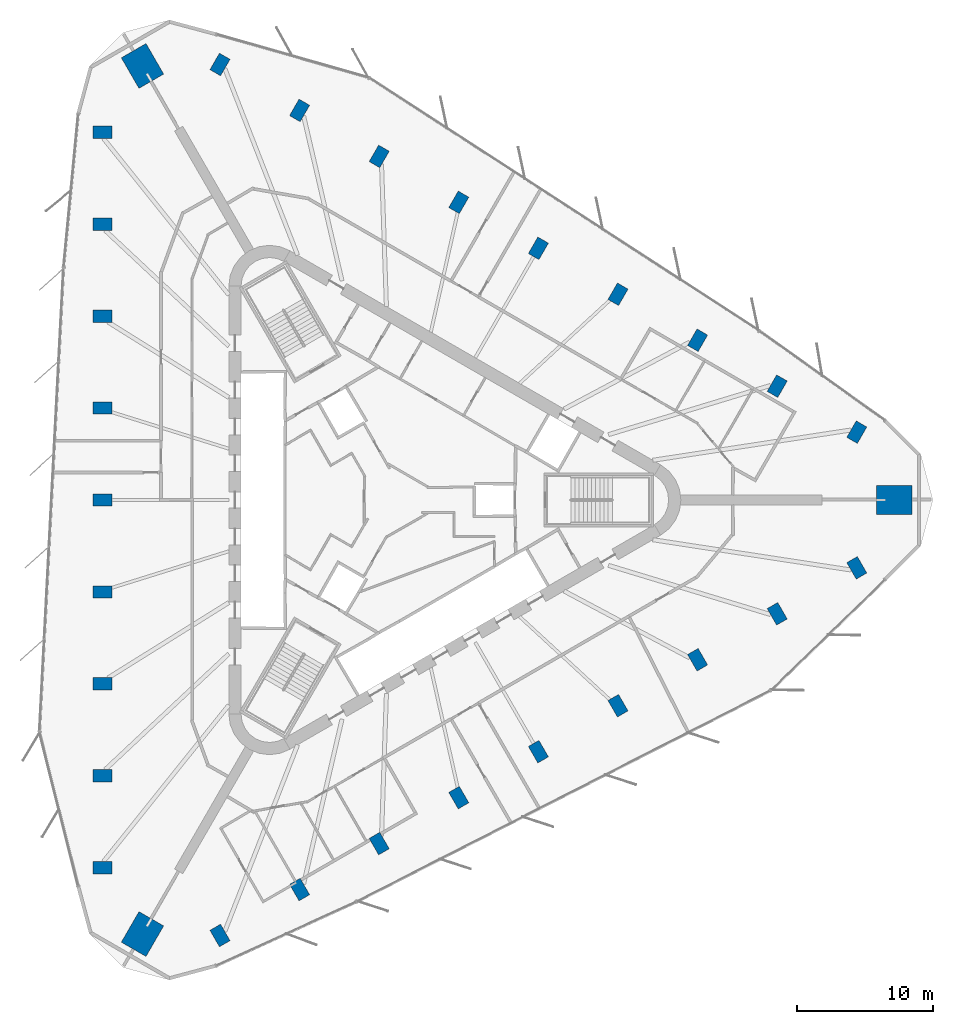
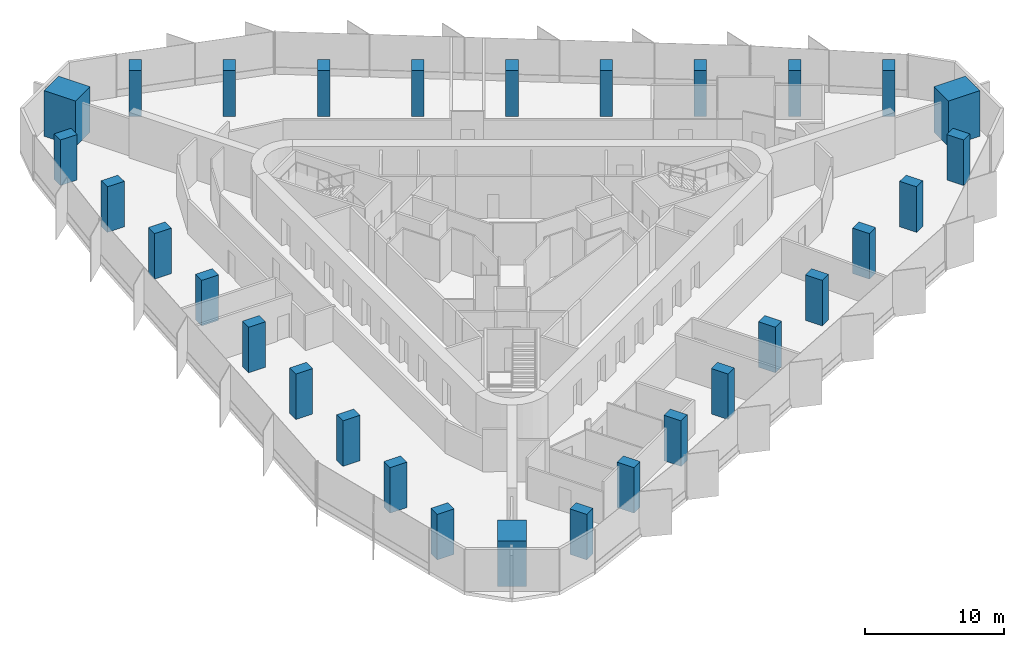
# One storey, part 1 of 14: 30 columns.
"""IFC4 building model written with IfcOpenShell, lengths in metres."""

from ifc_helpers import new_model, si_unit, direction, frame, origin, origin_2d, place, context, subcontext, project, spatial, rectangle, extrude, material, material_profile, profile_set, type_object, element, save


model = new_model("IFC4")

# Units and contexts
model_context = context("Model", 3, precision=1e-05, world=origin(), true_north=direction((0.0, 1.0)))
body_context = subcontext(model_context, "Body", "Model", "MODEL_VIEW")
ifc_project = project(units=[si_unit("LENGTHUNIT", "METRE"), si_unit("AREAUNIT", "SQUARE_METRE"), si_unit("VOLUMEUNIT", "CUBIC_METRE"), si_unit("PLANEANGLEUNIT", "RADIAN"), si_unit("MASSUNIT", "GRAM", prefix="KILO")], contexts=[model_context])

# Site, building, storey
site_placement = place(None, origin())
site = spatial("IfcSite", under=ifc_project, at=site_placement, CompositionType="ELEMENT")
building_placement = place(site_placement, origin())
building = spatial("IfcBuilding", under=site, at=building_placement, Name="Tanit Gate Tower", CompositionType="ELEMENT")
storey_placement = place(building_placement, frame((0.0, 0.0, 253.199951171875)))
storey = spatial("IfcBuildingStorey", under=building, at=storey_placement, Name="L57", CompositionType="ELEMENT", Elevation=253.199951171875)

# Columns
ifc_material_1 = material(Name="Concrete C60/75", Category="concrete")
ifc_material_profile_1 = material_profile(ifc_material_1, rectangle(XDim=2.60009765625, YDim=2.10009765625, at=origin_2d()), Name="RC 2600x2100")
ifc_profile_set_1 = profile_set([ifc_material_profile_1], Name="Concrete C60/75")
column_type_1 = type_object("IfcColumnType", Name="MEGA COLUMN 2600x2100 C60/75", PredefinedType="COLUMN", material=ifc_profile_set_1)
for number, where, z_axis, x_axis, name in (
    (1, (36.919921875, 0.0, 0.0), (0.0, 0.0, 1.0), (1.0, 0.0, 0.0), "MEGA COLUMN"),
    (2, (-18.4599609375, 31.9736328125, 0.0), (0.0, 0.0, 1.0), (-0.5, 0.866025403784, 0.0), "MEGA COLUMN"),
    (3, (-18.4599609375, -31.9736328125, 0.0), (0.0, 0.0, 1.0), (-0.5, -0.866025403784, 0.0), "MEGA COLUMN"),
):
    element("IfcColumn", number, at=place(storey_placement, frame(where, z_axis=z_axis, x_axis=x_axis)), inside=storey, type_object=column_type_1, Name=name, PredefinedType="COLUMN", context=body_context, shape_type="SweptSolid", body=[
        extrude(rectangle(XDim=2.60009765625, YDim=2.10009765625, at=origin_2d()), origin(), (0.0, 0.0, 1.0), 4.0),
    ])
ifc_material_2 = material(Name="Concrete C50/60", Category="concrete")
ifc_material_profile_2 = material_profile(ifc_material_2, rectangle(XDim=1.39990234375, YDim=0.89990234375, at=origin_2d()), Name="RC 1400x900")
ifc_profile_set_2 = profile_set([ifc_material_profile_2], Name="Concrete C50/60")
column_type_2 = type_object("IfcColumnType", Name="PERIMETER COLUMN 1400x900 C50/60", PredefinedType="COLUMN", material=ifc_profile_set_2)
for number, where, z_axis, x_axis, name in (
    (4, (-21.4072265625, 27.083984375, 0.0), (0.0, 0.0, 1.0), (-1.0, 0.0, 0.0), "PERIMETER COLUMN"),
    (5, (-21.4072265625, 20.31298828125, 0.0), (0.0, 0.0, 1.0), (-1.0, 0.0, 0.0), "PERIMETER COLUMN"),
    (6, (-21.4072265625, 13.5419921875, 0.0), (0.0, 0.0, 1.0), (-1.0, 0.0, 0.0), "PERIMETER COLUMN"),
    (7, (-21.4072265625, 6.77099609375, 0.0), (0.0, 0.0, 1.0), (-1.0, 0.0, 0.0), "PERIMETER COLUMN"),
    (8, (-21.4072265625, 0.0, 0.0), (0.0, 0.0, 1.0), (-1.0, 0.0, 0.0), "PERIMETER COLUMN"),
    (9, (-21.4072265625, -6.77099609375, 0.0), (0.0, 0.0, 1.0), (-1.0, 0.0, 0.0), "PERIMETER COLUMN"),
    (10, (-21.4072265625, -13.5419921875, 0.0), (0.0, 0.0, 1.0), (-1.0, 0.0, 0.0), "PERIMETER COLUMN"),
    (11, (-21.4072265625, -20.31298828125, 0.0), (0.0, 0.0, 1.0), (-1.0, 0.0, 0.0), "PERIMETER COLUMN"),
    (12, (-21.4072265625, -27.083984375, 0.0), (0.0, 0.0, 1.0), (-1.0, 0.0, 0.0), "PERIMETER COLUMN"),
    (13, (34.158935546875, 4.997314453125, 0.0), (0.0, 0.0, 1.0), (0.5, 0.866025403784, 0.0), "PERIMETER COLUMN"),
    (14, (28.295166015625, 8.3828125, 0.0), (0.0, 0.0, 1.0), (0.5, 0.866025403784, 0.0), "PERIMETER COLUMN"),
    (15, (22.431396484375, 11.768310546875, 0.0), (0.0, 0.0, 1.0), (0.5, 0.866025403784, 0.0), "PERIMETER COLUMN"),
    (16, (16.5673828125, 15.15380859375, 0.0), (0.0, 0.0, 1.0), (0.5, 0.866025403784, 0.0), "PERIMETER COLUMN"),
    (17, (10.70361328125, 18.539306640625, 0.0), (0.0, 0.0, 1.0), (0.5, 0.866025403784, 0.0), "PERIMETER COLUMN"),
    (18, (4.83984375, 21.9248046875, 0.0), (0.0, 0.0, 1.0), (0.5, 0.866025403784, 0.0), "PERIMETER COLUMN"),
    (19, (-1.02392578125, 25.310302734375, 0.0), (0.0, 0.0, 1.0), (0.5, 0.866025403784, 0.0), "PERIMETER COLUMN"),
    (20, (-6.887939453125, 28.69580078125, 0.0), (0.0, 0.0, 1.0), (0.5, 0.866025403784, 0.0), "PERIMETER COLUMN"),
    (21, (-12.751708984375, 32.081298828125, 0.0), (0.0, 0.0, 1.0), (0.5, 0.866025403784, 0.0), "PERIMETER COLUMN"),
    (22, (-12.751708984375, -32.081298828125, 0.0), (0.0, 0.0, 1.0), (0.5, -0.866025403784, 0.0), "PERIMETER COLUMN"),
    (23, (-6.887939453125, -28.69580078125, 0.0), (0.0, 0.0, 1.0), (0.5, -0.866025403784, 0.0), "PERIMETER COLUMN"),
    (24, (-1.02392578125, -25.310302734375, 0.0), (0.0, 0.0, 1.0), (0.5, -0.866025403784, 0.0), "PERIMETER COLUMN"),
    (25, (4.83984375, -21.9248046875, 0.0), (0.0, 0.0, 1.0), (0.5, -0.866025403784, 0.0), "PERIMETER COLUMN"),
    (26, (10.70361328125, -18.539306640625, 0.0), (0.0, 0.0, 1.0), (0.5, -0.866025403784, 0.0), "PERIMETER COLUMN"),
    (27, (16.5673828125, -15.15380859375, 0.0), (0.0, 0.0, 1.0), (0.5, -0.866025403784, 0.0), "PERIMETER COLUMN"),
    (28, (22.431396484375, -11.768310546875, 0.0), (0.0, 0.0, 1.0), (0.5, -0.866025403784, 0.0), "PERIMETER COLUMN"),
    (29, (28.295166015625, -8.3828125, 0.0), (0.0, 0.0, 1.0), (0.5, -0.866025403784, 0.0), "PERIMETER COLUMN"),
    (30, (34.158935546875, -4.997314453125, 0.0), (0.0, 0.0, 1.0), (0.5, -0.866025403784, 0.0), "PERIMETER COLUMN"),
):
    element("IfcColumn", number, at=place(storey_placement, frame(where, z_axis=z_axis, x_axis=x_axis)), inside=storey, type_object=column_type_2, Name=name, PredefinedType="COLUMN", context=body_context, shape_type="SweptSolid", body=[
        extrude(rectangle(XDim=1.39990234375, YDim=0.89990234375, at=origin_2d()), origin(), (0.0, 0.0, 1.0), 4.0),
    ])

save(model, "model.ifc")
